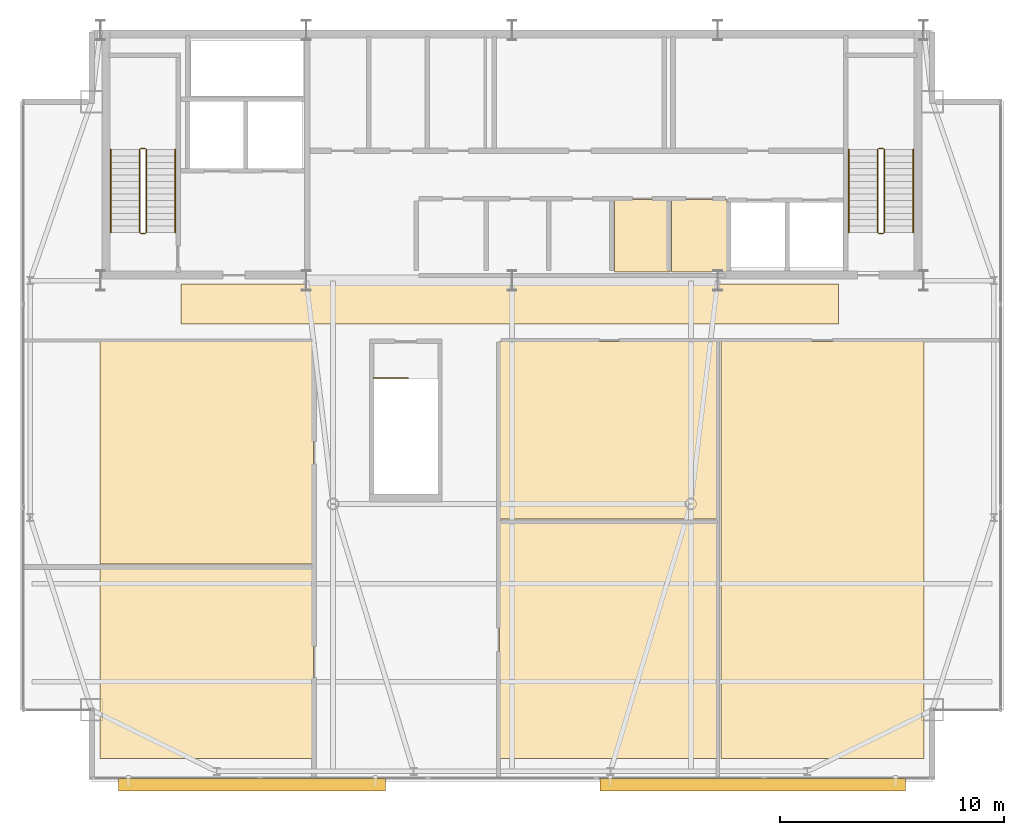
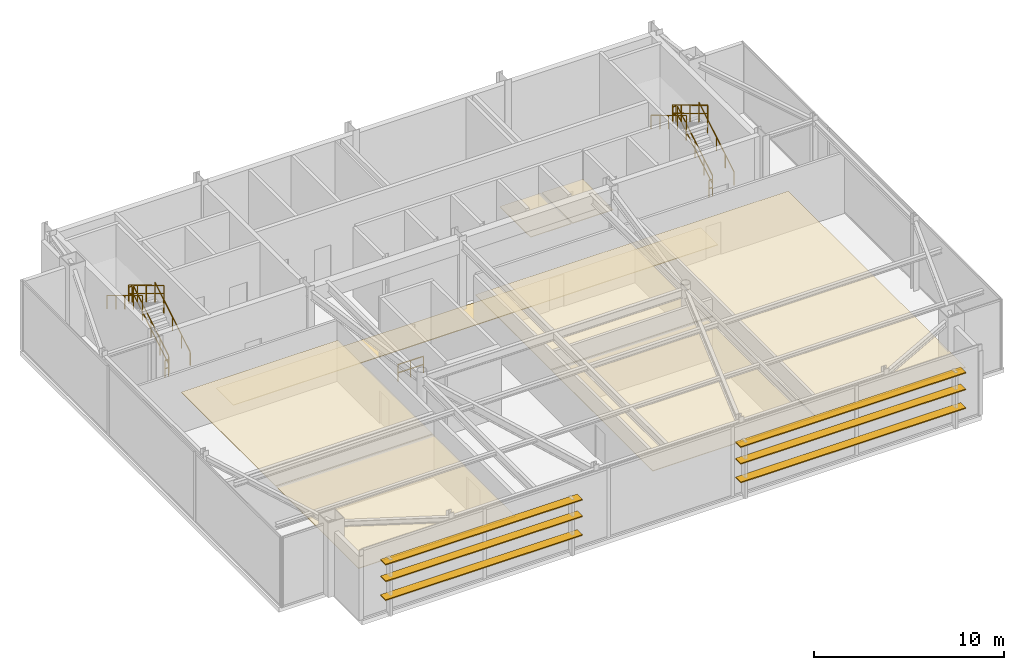
# One storey, part 20 of 20: 13 railings, 8 coverings, 6 shading devices.
"""IFC4 building model written with IfcOpenShell, lengths in metres."""

from ifc_helpers import new_model, si_unit, direction, frame, origin, origin_2d, place, context, subcontext, project, spatial, polyline, rectangle, outline, extrude, source, transform, mapped, material, layer, layer_set, type_object, type_shapes, element, save


model = new_model("IFC4")

# Units and contexts
model_context = context("Model", 3, precision=1e-05, world=origin(), true_north=direction((0.0, 1.0)))
body_context = subcontext(model_context, "Body", "Model", "MODEL_VIEW")
ifc_project = project(units=[si_unit("LENGTHUNIT", "METRE"), si_unit("AREAUNIT", "SQUARE_METRE"), si_unit("VOLUMEUNIT", "CUBIC_METRE"), si_unit("PLANEANGLEUNIT", "RADIAN"), si_unit("MASSUNIT", "GRAM", prefix="KILO")], contexts=[model_context])

# Site, building, storey
site_placement = place(None, origin())
site = spatial("IfcSite", under=ifc_project, at=site_placement, CompositionType="ELEMENT")
building_placement = place(site_placement, origin())
building = spatial("IfcBuilding", under=site, at=building_placement, Name="Varnel Quay Broadcast Tower", CompositionType="ELEMENT")
storey_placement = place(building_placement, frame((0.0, 0.0, 309.800048828125)))
storey = spatial("IfcBuildingStorey", under=building, at=storey_placement, Name="L77", CompositionType="ELEMENT", Elevation=309.800048828125)

# Coverings
ifc_material_1 = material(Name="Micro-Perforated Acoustic Ceiling Tile")
ifc_layer_1 = layer(ifc_material_1, 0.0400390625, Name="Micro-Perforated Acoustic Ceiling Tile")
ifc_layer_set_1 = layer_set([ifc_layer_1], Name="Micro-Perforated Acoustic Ceiling Tile")
covering_type_1 = type_object("IfcCoveringType", Name="Cov_AcousticCeiling", PredefinedType="CEILING", material=ifc_layer_set_1)
covering_1_placement = place(storey_placement, frame((0.0, 0.0, 2.579833984375)))
element("IfcCovering", 1, at=covering_1_placement, inside=storey, type_object=covering_type_1, Name="L77 Cleaners' & Linen Store Acoustic Ceiling", PredefinedType="CEILING", context=body_context, shape_type="SweptSolid", body=[
    extrude(outline(polyline([(38.5849609375, 35.985107421875), (41.06494140625, 35.985107421875), (41.06494140625, 39.215087890625), (38.5849609375, 39.215087890625), (38.5849609375, 35.985107421875)])), origin(), (0.0, 0.0, 1.0), 0.0400390625),
])
covering_2_placement = place(storey_placement, frame((0.0, 0.0, 2.579833984375)))
element("IfcCovering", 2, at=covering_2_placement, inside=storey, type_object=covering_type_1, Name="L77 Telecom IDF Closet Acoustic Ceiling", PredefinedType="CEILING", context=body_context, shape_type="SweptSolid", body=[
    extrude(outline(polyline([(41.135009765625, 35.985107421875), (43.614990234375, 35.985107421875), (43.614990234375, 39.215087890625), (41.135009765625, 39.215087890625), (41.135009765625, 35.985107421875)])), origin(), (0.0, 0.0, 1.0), 0.0400390625),
])
covering_3_placement = place(storey_placement, frame((0.0, 0.0, 2.579833984375)))
element("IfcCovering", 3, at=covering_3_placement, inside=storey, type_object=covering_type_1, Name="L77 Broadcast Sky-Forum & Live Set Acoustic Ceiling", PredefinedType="CEILING", context=body_context, shape_type="SweptSolid", body=[
    extrude(outline(polyline([(15.5849609375, 14.22509765625), (25.114990234375, 14.22509765625), (25.114990234375, 22.864990234375), (15.5849609375, 22.864990234375), (15.5849609375, 14.22509765625)])), origin(), (0.0, 0.0, 1.0), 0.0400390625),
])
covering_4_placement = place(storey_placement, frame((0.0, 0.0, 2.579833984375)))
element("IfcCovering", 4, at=covering_4_placement, inside=storey, type_object=covering_type_1, Name="L77 Anchor & Guest Green Lounge Acoustic Ceiling", PredefinedType="CEILING", context=body_context, shape_type="SweptSolid", body=[
    extrude(outline(polyline([(15.5849609375, 22.93505859375), (25.114990234375, 22.93505859375), (25.114990234375, 32.864990234375), (15.5849609375, 32.864990234375), (15.5849609375, 22.93505859375)])), origin(), (0.0, 0.0, 1.0), 0.0400390625),
])
covering_5_placement = place(storey_placement, frame((0.0, 0.0, 2.579833984375)))
element("IfcCovering", 5, at=covering_5_placement, inside=storey, type_object=covering_type_1, Name="L77 International Press Boardroom Acoustic Ceiling", PredefinedType="CEILING", context=body_context, shape_type="SweptSolid", body=[
    extrude(outline(polyline([(33.43505859375, 14.22509765625), (43.264892578125, 14.22509765625), (43.264892578125, 24.864990234375), (33.43505859375, 24.864990234375), (33.43505859375, 14.22509765625)])), origin(), (0.0, 0.0, 1.0), 0.0400390625),
])
covering_6_placement = place(storey_placement, frame((0.0, 0.0, 2.579833984375)))
element("IfcCovering", 6, at=covering_6_placement, inside=storey, type_object=covering_type_1, Name="L77 Live Transmission Control A Acoustic Ceiling", PredefinedType="CEILING", context=body_context, shape_type="SweptSolid", body=[
    extrude(outline(polyline([(43.3349609375, 14.22509765625), (52.4150390625, 14.22509765625), (52.4150390625, 32.864990234375), (43.3349609375, 32.864990234375), (43.3349609375, 14.22509765625)])), origin(), (0.0, 0.0, 1.0), 0.0400390625),
])
covering_7_placement = place(storey_placement, frame((0.0, 0.0, 2.579833984375)))
element("IfcCovering", 7, at=covering_7_placement, inside=storey, type_object=covering_type_1, Name="L77 Press Hospitality Pantry Acoustic Ceiling", PredefinedType="CEILING", context=body_context, shape_type="SweptSolid", body=[
    extrude(outline(polyline([(33.43505859375, 24.93505859375), (43.264892578125, 24.93505859375), (43.264892578125, 32.864990234375), (33.43505859375, 32.864990234375), (33.43505859375, 24.93505859375)])), origin(), (0.0, 0.0, 1.0), 0.0400390625),
])
ifc_material_2 = material(Name="Polished Terrazzo & Broadcast Raised Flooring")
ifc_layer_2 = layer(ifc_material_2, 0.0400390625, Name="Polished Terrazzo & Broadcast Raised Flooring")
ifc_layer_set_2 = layer_set([ifc_layer_2], Name="Polished Terrazzo & Broadcast Raised Flooring")
covering_type_2 = type_object("IfcCoveringType", Name="Cov_TerrazzoFloor", PredefinedType="FLOORING", material=ifc_layer_set_2)
covering_8_placement = place(storey_placement, origin())
element("IfcCovering", 8, at=covering_8_placement, inside=storey, type_object=covering_type_2, Name="L77 Corridor Terrazzo Flooring", PredefinedType="FLOORING", context=body_context, shape_type="SweptSolid", body=[
    extrude(outline(polyline([(19.199951171875, 33.64990234375), (48.60009765625, 33.64990234375), (48.60009765625, 35.449951171875), (19.199951171875, 35.449951171875), (19.199951171875, 33.64990234375)])), origin(), (0.0, 0.0, 1.0), 0.0400390625),
])

# Railings
ifc_material_3 = material(Name="Painted Steel Guard and Handrail CSA G40.21 350W", Category="steel")
railing_type_1 = type_object("IfcRailingType", Name="Rail_StairGuard1100", PredefinedType="GUARDRAIL", material=ifc_material_3)
railing_1_placement = place(storey_placement, frame((17.64990234375, 37.75, 0.17138671875)))
element("IfcRailing", 9, at=railing_1_placement, inside=storey, type_object=railing_type_1, Name="L77 ST-01 stair guard 1", PredefinedType="GUARDRAIL", context=body_context, shape_type="SweptSolid", body=[
    extrude(rectangle(XDim=0.048095703125, YDim=0.048095703125, at=origin_2d()), frame((0.0, 0.0, 1.076171875), z_axis=(0.0, 0.856934400257, 0.515425487977), x_axis=(-1.0, 0.0, 0.0)), (0.0, 0.0, 1.0), 4.32373046875),
    extrude(rectangle(XDim=0.048095703125, YDim=0.048095703125, at=origin_2d()), frame((0.0, 0.0, 0.550048828125), z_axis=(0.0, 0.856934400257, 0.515425487977), x_axis=(-1.0, 0.0, 0.0)), (0.0, 0.0, 1.0), 4.32373046875),
    extrude(rectangle(XDim=0.0419921875, YDim=0.0419921875, at=origin_2d()), origin(), (0.0, 0.0, 1.0), 1.052001953125),
    extrude(rectangle(XDim=0.0419921875, YDim=0.0419921875, at=origin_2d()), frame((0.0, 0.92626953125, 0.55712890625)), (0.0, 0.0, 1.0), 1.052001953125),
    extrude(rectangle(XDim=0.0419921875, YDim=0.0419921875, at=origin_2d()), frame((0.0, 1.8525390625, 1.1142578125)), (0.0, 0.0, 1.0), 1.052001953125),
    extrude(rectangle(XDim=0.0419921875, YDim=0.0419921875, at=origin_2d()), frame((0.0, 2.77880859375, 1.67138671875)), (0.0, 0.0, 1.0), 1.052001953125),
    extrude(rectangle(XDim=0.0419921875, YDim=0.0419921875, at=origin_2d()), frame((0.0, 3.705078125, 2.228515625)), (0.0, 0.0, 1.0), 1.052001953125),
])
railing_2_placement = place(storey_placement, frame((17.60009765625, 41.5048828125, 2.39990234375)))
element("IfcRailing", 10, at=railing_2_placement, inside=storey, type_object=railing_type_1, Name="L77 ST-01 stair guard 2", PredefinedType="GUARDRAIL", context=body_context, shape_type="SweptSolid", body=[
    extrude(rectangle(XDim=0.048095703125, YDim=0.048095703125, at=origin_2d()), frame((0.0, 0.0, 1.076171875), z_axis=(-1.0, 0.0, 0.0), x_axis=(0.0, -1.0, 0.0)), (0.0, 0.0, 1.0), 0.2001953125),
    extrude(rectangle(XDim=0.048095703125, YDim=0.048095703125, at=origin_2d()), frame((0.0, 0.0, 0.550048828125), z_axis=(-1.0, 0.0, 0.0), x_axis=(0.0, -1.0, 0.0)), (0.0, 0.0, 1.0), 0.2001953125),
    extrude(rectangle(XDim=0.0419921875, YDim=0.0419921875, at=origin_2d()), origin(), (0.0, 0.0, 1.0), 1.052001953125),
    extrude(rectangle(XDim=0.0419921875, YDim=0.0419921875, at=origin_2d()), frame((-0.2001953125, 0.0, 0.0)), (0.0, 0.0, 1.0), 1.052001953125),
])
railing_3_placement = place(storey_placement, frame((17.35009765625, 41.455078125, 2.5712890625)))
element("IfcRailing", 11, at=railing_3_placement, inside=storey, type_object=railing_type_1, Name="L77 ST-01 stair guard 3", PredefinedType="GUARDRAIL", context=body_context, shape_type="SweptSolid", body=[
    extrude(rectangle(XDim=0.048095703125, YDim=0.048095703125, at=origin_2d()), frame((0.0, 0.0, 1.076171875), z_axis=(0.0, -0.856909459561, 0.515466951525), x_axis=(1.0, 0.0, 0.0)), (0.0, 0.0, 1.0), 4.32373046875),
    extrude(rectangle(XDim=0.048095703125, YDim=0.048095703125, at=origin_2d()), frame((0.0, 0.0, 0.550048828125), z_axis=(0.0, -0.856909459561, 0.515466951525), x_axis=(1.0, 0.0, 0.0)), (0.0, 0.0, 1.0), 4.32373046875),
    extrude(rectangle(XDim=0.0419921875, YDim=0.0419921875, at=origin_2d()), origin(), (0.0, 0.0, 1.0), 1.052001953125),
    extrude(rectangle(XDim=0.0419921875, YDim=0.0419921875, at=origin_2d()), frame((0.0, -0.92626953125, 0.55712890625)), (0.0, 0.0, 1.0), 1.052001953125),
    extrude(rectangle(XDim=0.0419921875, YDim=0.0419921875, at=origin_2d()), frame((0.0, -1.8525390625, 1.1142578125)), (0.0, 0.0, 1.0), 1.052001953125),
    extrude(rectangle(XDim=0.0419921875, YDim=0.0419921875, at=origin_2d()), frame((0.0, -2.77880859375, 1.671630859375)), (0.0, 0.0, 1.0), 1.052001953125),
    extrude(rectangle(XDim=0.0419921875, YDim=0.0419921875, at=origin_2d()), frame((0.0, -3.705078125, 2.228759765625)), (0.0, 0.0, 1.0), 1.052001953125),
])
railing_4_placement = place(storey_placement, frame((17.60009765625, 37.699951171875, 0.0)))
element("IfcRailing", 12, at=railing_4_placement, inside=storey, type_object=railing_type_1, Name="L77 ST-01 stair guard 4", PredefinedType="GUARDRAIL", context=body_context, shape_type="SweptSolid", body=[
    extrude(rectangle(XDim=0.048095703125, YDim=0.048095703125, at=origin_2d()), frame((0.0, 0.0, 1.076171875), z_axis=(-1.0, 0.0, 0.0), x_axis=(0.0, -1.0, 0.0)), (0.0, 0.0, 1.0), 0.2001953125),
    extrude(rectangle(XDim=0.048095703125, YDim=0.048095703125, at=origin_2d()), frame((0.0, 0.0, 0.550048828125), z_axis=(-1.0, 0.0, 0.0), x_axis=(0.0, -1.0, 0.0)), (0.0, 0.0, 1.0), 0.2001953125),
    extrude(rectangle(XDim=0.0419921875, YDim=0.0419921875, at=origin_2d()), origin(), (0.0, 0.0, 1.0), 1.052001953125),
    extrude(rectangle(XDim=0.0419921875, YDim=0.0419921875, at=origin_2d()), frame((-0.2001953125, 0.0, 0.0)), (0.0, 0.0, 1.0), 1.052001953125),
])
railing_5_placement = place(storey_placement, frame((50.64990234375, 37.75, 0.17138671875)))
element("IfcRailing", 13, at=railing_5_placement, inside=storey, type_object=railing_type_1, Name="L77 ST-02 stair guard 1", PredefinedType="GUARDRAIL", context=body_context, shape_type="SweptSolid", body=[
    extrude(rectangle(XDim=0.048095703125, YDim=0.048095703125, at=origin_2d()), frame((0.0, 0.0, 1.076171875), z_axis=(0.0, 0.856934400257, 0.515425487977), x_axis=(-1.0, 0.0, 0.0)), (0.0, 0.0, 1.0), 4.32373046875),
    extrude(rectangle(XDim=0.048095703125, YDim=0.048095703125, at=origin_2d()), frame((0.0, 0.0, 0.550048828125), z_axis=(0.0, 0.856934400257, 0.515425487977), x_axis=(-1.0, 0.0, 0.0)), (0.0, 0.0, 1.0), 4.32373046875),
    extrude(rectangle(XDim=0.0419921875, YDim=0.0419921875, at=origin_2d()), origin(), (0.0, 0.0, 1.0), 1.052001953125),
    extrude(rectangle(XDim=0.0419921875, YDim=0.0419921875, at=origin_2d()), frame((0.0, 0.92626953125, 0.55712890625)), (0.0, 0.0, 1.0), 1.052001953125),
    extrude(rectangle(XDim=0.0419921875, YDim=0.0419921875, at=origin_2d()), frame((0.0, 1.8525390625, 1.1142578125)), (0.0, 0.0, 1.0), 1.052001953125),
    extrude(rectangle(XDim=0.0419921875, YDim=0.0419921875, at=origin_2d()), frame((0.0, 2.77880859375, 1.67138671875)), (0.0, 0.0, 1.0), 1.052001953125),
    extrude(rectangle(XDim=0.0419921875, YDim=0.0419921875, at=origin_2d()), frame((0.0, 3.705078125, 2.228515625)), (0.0, 0.0, 1.0), 1.052001953125),
])
railing_6_placement = place(storey_placement, frame((50.60009765625, 41.5048828125, 2.39990234375)))
element("IfcRailing", 14, at=railing_6_placement, inside=storey, type_object=railing_type_1, Name="L77 ST-02 stair guard 2", PredefinedType="GUARDRAIL", context=body_context, shape_type="SweptSolid", body=[
    extrude(rectangle(XDim=0.048095703125, YDim=0.048095703125, at=origin_2d()), frame((0.0, 0.0, 1.076171875), z_axis=(-1.0, 0.0, 0.0), x_axis=(0.0, -1.0, 0.0)), (0.0, 0.0, 1.0), 0.2001953125),
    extrude(rectangle(XDim=0.048095703125, YDim=0.048095703125, at=origin_2d()), frame((0.0, 0.0, 0.550048828125), z_axis=(-1.0, 0.0, 0.0), x_axis=(0.0, -1.0, 0.0)), (0.0, 0.0, 1.0), 0.2001953125),
    extrude(rectangle(XDim=0.0419921875, YDim=0.0419921875, at=origin_2d()), origin(), (0.0, 0.0, 1.0), 1.052001953125),
    extrude(rectangle(XDim=0.0419921875, YDim=0.0419921875, at=origin_2d()), frame((-0.2001953125, 0.0, 0.0)), (0.0, 0.0, 1.0), 1.052001953125),
])
railing_7_placement = place(storey_placement, frame((50.35009765625, 41.455078125, 2.5712890625)))
element("IfcRailing", 15, at=railing_7_placement, inside=storey, type_object=railing_type_1, Name="L77 ST-02 stair guard 3", PredefinedType="GUARDRAIL", context=body_context, shape_type="SweptSolid", body=[
    extrude(rectangle(XDim=0.048095703125, YDim=0.048095703125, at=origin_2d()), frame((0.0, 0.0, 1.076171875), z_axis=(0.0, -0.856909459561, 0.515466951525), x_axis=(1.0, 0.0, 0.0)), (0.0, 0.0, 1.0), 4.32373046875),
    extrude(rectangle(XDim=0.048095703125, YDim=0.048095703125, at=origin_2d()), frame((0.0, 0.0, 0.550048828125), z_axis=(0.0, -0.856909459561, 0.515466951525), x_axis=(1.0, 0.0, 0.0)), (0.0, 0.0, 1.0), 4.32373046875),
    extrude(rectangle(XDim=0.0419921875, YDim=0.0419921875, at=origin_2d()), origin(), (0.0, 0.0, 1.0), 1.052001953125),
    extrude(rectangle(XDim=0.0419921875, YDim=0.0419921875, at=origin_2d()), frame((0.0, -0.92626953125, 0.55712890625)), (0.0, 0.0, 1.0), 1.052001953125),
    extrude(rectangle(XDim=0.0419921875, YDim=0.0419921875, at=origin_2d()), frame((0.0, -1.8525390625, 1.1142578125)), (0.0, 0.0, 1.0), 1.052001953125),
    extrude(rectangle(XDim=0.0419921875, YDim=0.0419921875, at=origin_2d()), frame((0.0, -2.77880859375, 1.671630859375)), (0.0, 0.0, 1.0), 1.052001953125),
    extrude(rectangle(XDim=0.0419921875, YDim=0.0419921875, at=origin_2d()), frame((0.0, -3.705078125, 2.228759765625)), (0.0, 0.0, 1.0), 1.052001953125),
])
railing_8_placement = place(storey_placement, frame((50.60009765625, 37.699951171875, 0.0)))
element("IfcRailing", 16, at=railing_8_placement, inside=storey, type_object=railing_type_1, Name="L77 ST-02 stair guard 4", PredefinedType="GUARDRAIL", context=body_context, shape_type="SweptSolid", body=[
    extrude(rectangle(XDim=0.048095703125, YDim=0.048095703125, at=origin_2d()), frame((0.0, 0.0, 1.076171875), z_axis=(-1.0, 0.0, 0.0), x_axis=(0.0, -1.0, 0.0)), (0.0, 0.0, 1.0), 0.2001953125),
    extrude(rectangle(XDim=0.048095703125, YDim=0.048095703125, at=origin_2d()), frame((0.0, 0.0, 0.550048828125), z_axis=(-1.0, 0.0, 0.0), x_axis=(0.0, -1.0, 0.0)), (0.0, 0.0, 1.0), 0.2001953125),
    extrude(rectangle(XDim=0.0419921875, YDim=0.0419921875, at=origin_2d()), origin(), (0.0, 0.0, 1.0), 1.052001953125),
    extrude(rectangle(XDim=0.0419921875, YDim=0.0419921875, at=origin_2d()), frame((-0.2001953125, 0.0, 0.0)), (0.0, 0.0, 1.0), 1.052001953125),
])
railing_9_placement = place(storey_placement, frame((27.800048828125, 31.25, 0.0)))
element("IfcRailing", 17, at=railing_9_placement, inside=storey, type_object=railing_type_1, Name="L77 ST-04 top well guard 1", PredefinedType="GUARDRAIL", context=body_context, shape_type="SweptSolid", body=[
    extrude(rectangle(XDim=0.048095703125, YDim=0.048095703125, at=origin_2d()), frame((0.0, 0.0, 1.076171875), z_axis=(1.0, 0.0, 0.0), x_axis=(0.0, 1.0, 0.0)), (0.0, 0.0, 1.0), 1.550048828125),
    extrude(rectangle(XDim=0.048095703125, YDim=0.048095703125, at=origin_2d()), frame((0.0, 0.0, 0.550048828125), z_axis=(1.0, 0.0, 0.0), x_axis=(0.0, 1.0, 0.0)), (0.0, 0.0, 1.0), 1.550048828125),
    extrude(rectangle(XDim=0.0419921875, YDim=0.0419921875, at=origin_2d()), origin(), (0.0, 0.0, 1.0), 1.052001953125),
    extrude(rectangle(XDim=0.0419921875, YDim=0.0419921875, at=origin_2d()), frame((0.77490234375, 0.0, 0.0)), (0.0, 0.0, 1.0), 1.052001953125),
    extrude(rectangle(XDim=0.0419921875, YDim=0.0419921875, at=origin_2d()), frame((1.550048828125, 0.0, 0.0)), (0.0, 0.0, 1.0), 1.052001953125),
])
railing_type_2 = type_object("IfcRailingType", Name="Rail_StairHandrail900", PredefinedType="HANDRAIL", material=ifc_material_3)
railing_10_placement = place(storey_placement, frame((18.949951171875, 37.75, 0.17138671875)))
element("IfcRailing", 18, at=railing_10_placement, inside=storey, type_object=railing_type_2, Name="L77 ST-01 stair handrail 1", PredefinedType="HANDRAIL", context=body_context, shape_type="SweptSolid", body=[
    extrude(rectangle(XDim=0.048095703125, YDim=0.048095703125, at=origin_2d()), frame((0.0, 0.0, 0.8759765625), z_axis=(0.0, 0.856934400257, 0.515425487977), x_axis=(-1.0, 0.0, 0.0)), (0.0, 0.0, 1.0), 4.32373046875),
    extrude(rectangle(XDim=0.0419921875, YDim=0.0419921875, at=origin_2d()), origin(), (0.0, 0.0, 1.0), 0.851806640625),
    extrude(rectangle(XDim=0.0419921875, YDim=0.0419921875, at=origin_2d()), frame((0.0, 0.92626953125, 0.55712890625)), (0.0, 0.0, 1.0), 0.851806640625),
    extrude(rectangle(XDim=0.0419921875, YDim=0.0419921875, at=origin_2d()), frame((0.0, 1.8525390625, 1.1142578125)), (0.0, 0.0, 1.0), 0.851806640625),
    extrude(rectangle(XDim=0.0419921875, YDim=0.0419921875, at=origin_2d()), frame((0.0, 2.77880859375, 1.67138671875)), (0.0, 0.0, 1.0), 0.851806640625),
    extrude(rectangle(XDim=0.0419921875, YDim=0.0419921875, at=origin_2d()), frame((0.0, 3.705078125, 2.228515625)), (0.0, 0.0, 1.0), 0.851806640625),
])
railing_11_placement = place(storey_placement, frame((16.050048828125, 41.455078125, 2.5712890625)))
element("IfcRailing", 19, at=railing_11_placement, inside=storey, type_object=railing_type_2, Name="L77 ST-01 stair handrail 2", PredefinedType="HANDRAIL", context=body_context, shape_type="SweptSolid", body=[
    extrude(rectangle(XDim=0.048095703125, YDim=0.048095703125, at=origin_2d()), frame((0.0, 0.0, 0.8759765625), z_axis=(0.0, -0.856909459561, 0.515466951525), x_axis=(1.0, 0.0, 0.0)), (0.0, 0.0, 1.0), 4.32373046875),
    extrude(rectangle(XDim=0.0419921875, YDim=0.0419921875, at=origin_2d()), origin(), (0.0, 0.0, 1.0), 0.851806640625),
    extrude(rectangle(XDim=0.0419921875, YDim=0.0419921875, at=origin_2d()), frame((0.0, -0.92626953125, 0.55712890625)), (0.0, 0.0, 1.0), 0.851806640625),
    extrude(rectangle(XDim=0.0419921875, YDim=0.0419921875, at=origin_2d()), frame((0.0, -1.8525390625, 1.1142578125)), (0.0, 0.0, 1.0), 0.851806640625),
    extrude(rectangle(XDim=0.0419921875, YDim=0.0419921875, at=origin_2d()), frame((0.0, -2.77880859375, 1.671630859375)), (0.0, 0.0, 1.0), 0.851806640625),
    extrude(rectangle(XDim=0.0419921875, YDim=0.0419921875, at=origin_2d()), frame((0.0, -3.705078125, 2.228759765625)), (0.0, 0.0, 1.0), 0.851806640625),
])
railing_12_placement = place(storey_placement, frame((51.949951171875, 37.75, 0.17138671875)))
element("IfcRailing", 20, at=railing_12_placement, inside=storey, type_object=railing_type_2, Name="L77 ST-02 stair handrail 1", PredefinedType="HANDRAIL", context=body_context, shape_type="SweptSolid", body=[
    extrude(rectangle(XDim=0.048095703125, YDim=0.048095703125, at=origin_2d()), frame((0.0, 0.0, 0.8759765625), z_axis=(0.0, 0.856934400257, 0.515425487977), x_axis=(-1.0, 0.0, 0.0)), (0.0, 0.0, 1.0), 4.32373046875),
    extrude(rectangle(XDim=0.0419921875, YDim=0.0419921875, at=origin_2d()), origin(), (0.0, 0.0, 1.0), 0.851806640625),
    extrude(rectangle(XDim=0.0419921875, YDim=0.0419921875, at=origin_2d()), frame((0.0, 0.92626953125, 0.55712890625)), (0.0, 0.0, 1.0), 0.851806640625),
    extrude(rectangle(XDim=0.0419921875, YDim=0.0419921875, at=origin_2d()), frame((0.0, 1.8525390625, 1.1142578125)), (0.0, 0.0, 1.0), 0.851806640625),
    extrude(rectangle(XDim=0.0419921875, YDim=0.0419921875, at=origin_2d()), frame((0.0, 2.77880859375, 1.67138671875)), (0.0, 0.0, 1.0), 0.851806640625),
    extrude(rectangle(XDim=0.0419921875, YDim=0.0419921875, at=origin_2d()), frame((0.0, 3.705078125, 2.228515625)), (0.0, 0.0, 1.0), 0.851806640625),
])
railing_13_placement = place(storey_placement, frame((49.050048828125, 41.455078125, 2.5712890625)))
element("IfcRailing", 21, at=railing_13_placement, inside=storey, type_object=railing_type_2, Name="L77 ST-02 stair handrail 2", PredefinedType="HANDRAIL", context=body_context, shape_type="SweptSolid", body=[
    extrude(rectangle(XDim=0.048095703125, YDim=0.048095703125, at=origin_2d()), frame((0.0, 0.0, 0.8759765625), z_axis=(0.0, -0.856909459561, 0.515466951525), x_axis=(1.0, 0.0, 0.0)), (0.0, 0.0, 1.0), 4.32373046875),
    extrude(rectangle(XDim=0.0419921875, YDim=0.0419921875, at=origin_2d()), origin(), (0.0, 0.0, 1.0), 0.851806640625),
    extrude(rectangle(XDim=0.0419921875, YDim=0.0419921875, at=origin_2d()), frame((0.0, -0.92626953125, 0.55712890625)), (0.0, 0.0, 1.0), 0.851806640625),
    extrude(rectangle(XDim=0.0419921875, YDim=0.0419921875, at=origin_2d()), frame((0.0, -1.8525390625, 1.1142578125)), (0.0, 0.0, 1.0), 0.851806640625),
    extrude(rectangle(XDim=0.0419921875, YDim=0.0419921875, at=origin_2d()), frame((0.0, -2.77880859375, 1.671630859375)), (0.0, 0.0, 1.0), 0.851806640625),
    extrude(rectangle(XDim=0.0419921875, YDim=0.0419921875, at=origin_2d()), frame((0.0, -3.705078125, 2.228759765625)), (0.0, 0.0, 1.0), 0.851806640625),
])

# Shading devices
ifc_material_4 = material(Name="Bronze-Terracotta Extruded Ceramic Blade", Category="masonry")
ifc_layer_3 = layer(ifc_material_4, 0.06494140625, Name="Bronze-Terracotta Extruded Ceramic Blade")
ifc_layer_set_3 = layer_set([ifc_layer_3], Name="Bronze-Terracotta Extruded Ceramic Blade")
shading_device_type = type_object("IfcShadingDeviceType", Name="Shade_LouvreBlade550", PredefinedType="JALOUSIE", material=ifc_layer_set_3)
shared_shape_1 = source(origin(), body_context, "Body", "SweptSolid", [
    extrude(rectangle(XDim=13.656005859375, YDim=0.550048828125, at=origin_2d()), origin(), (0.0, 0.0, 1.0), 0.06494140625),
])
for number, where, z_axis, x_axis, name in (
    (22, (44.77197265625, 13.06005859375, 1.117431640625), (0.0, 0.0, 1.0), (1.0, 0.0, 0.0), "L77 Lobe 2 Horizontal Louvre Blade 1"),
    (23, (44.77197265625, 13.06005859375, 2.3173828125), (0.0, 0.0, 1.0), (1.0, 0.0, 0.0), "L77 Lobe 2 Horizontal Louvre Blade 2"),
    (24, (44.77197265625, 13.06005859375, 3.387451171875), (0.0, 0.0, 1.0), (1.0, 0.0, 0.0), "L77 Lobe 2 Horizontal Louvre Blade 3"),
):
    element("IfcShadingDevice", number, at=place(storey_placement, frame(where, z_axis=z_axis, x_axis=x_axis)), inside=storey, type_object=shading_device_type, Name=name, PredefinedType="JALOUSIE", context=body_context, shape_type="MappedRepresentation", body=[
        mapped(shared_shape_1, transform((0.0, 0.0, 0.0), x_axis=(1.0, 0.0, 0.0), y_axis=(0.0, 1.0, 0.0), z_axis=(0.0, 0.0, 1.0), scale=1.0)),
    ])
shared_shape_2 = source(origin(), body_context, "Body", "SweptSolid", [
    extrude(rectangle(XDim=11.944091796875, YDim=0.550048828125, at=origin_2d()), origin(), (0.0, 0.0, 1.0), 0.06494140625),
])
type_shapes(shading_device_type, [shared_shape_1, shared_shape_2])
for number, where, z_axis, x_axis, name in (
    (25, (22.3720703125, 13.06005859375, 1.117431640625), (0.0, 0.0, 1.0), (1.0, 0.0, 0.0), "L77 Lobe 1 Horizontal Louvre Blade 1"),
    (26, (22.3720703125, 13.06005859375, 2.3173828125), (0.0, 0.0, 1.0), (1.0, 0.0, 0.0), "L77 Lobe 1 Horizontal Louvre Blade 2"),
    (27, (22.3720703125, 13.06005859375, 3.387451171875), (0.0, 0.0, 1.0), (1.0, 0.0, 0.0), "L77 Lobe 1 Horizontal Louvre Blade 3"),
):
    element("IfcShadingDevice", number, at=place(storey_placement, frame(where, z_axis=z_axis, x_axis=x_axis)), inside=storey, type_object=shading_device_type, Name=name, PredefinedType="JALOUSIE", context=body_context, shape_type="MappedRepresentation", body=[
        mapped(shared_shape_2, transform((0.0, 0.0, 0.0), x_axis=(1.0, 0.0, 0.0), y_axis=(0.0, 1.0, 0.0), z_axis=(0.0, 0.0, 1.0), scale=1.0)),
    ])

save(model, "model.ifc")
